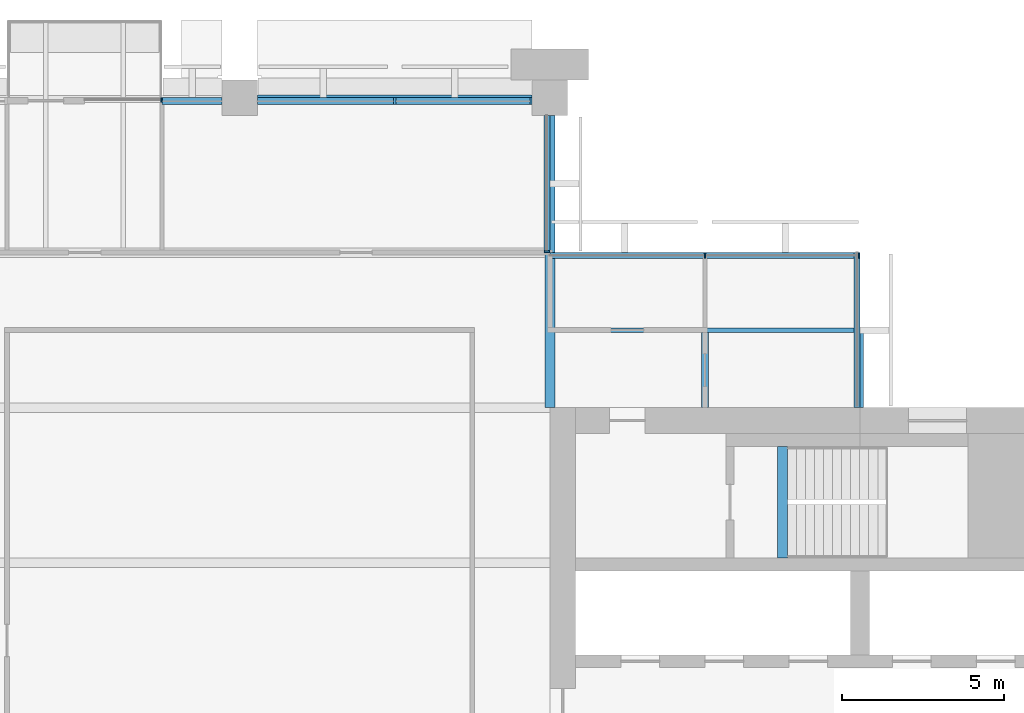
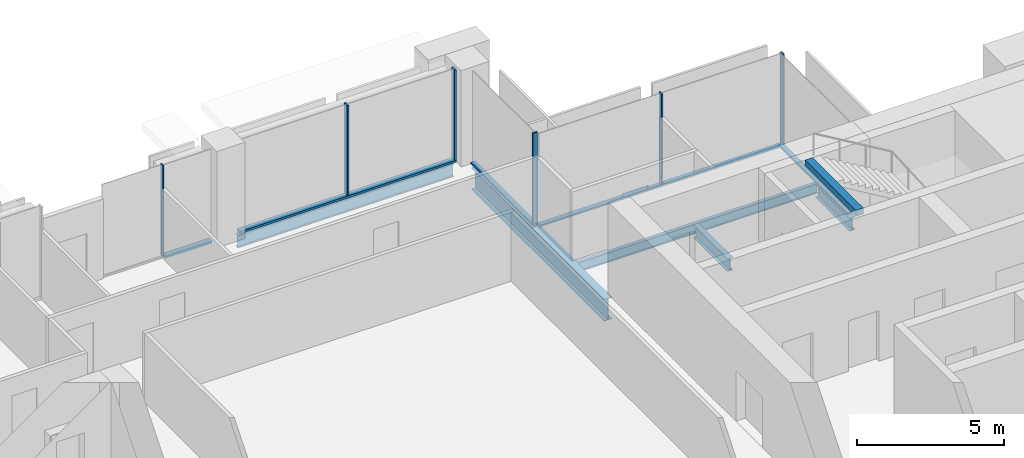
# One storey, part 6 of 14: 11 members, 6 beams, 5 elements without a shape of their own.
"""IFC4 building model written with IfcOpenShell, lengths in metres."""

from ifc_helpers import new_model, si_unit, direction, frame, origin, origin_2d, place, context, subcontext, project, spatial, rectangle, i_section, extrude, material, material_profile, profile_set, type_object, element, aggregate, save


model = new_model("IFC4")

# Units and contexts
model_context = context("Model", 3, precision=1e-05, world=origin(), true_north=direction((0.0, 1.0)))
body_context = subcontext(model_context, "Body", "Model", "MODEL_VIEW")
ifc_project = project(units=[si_unit("LENGTHUNIT", "METRE"), si_unit("AREAUNIT", "SQUARE_METRE"), si_unit("VOLUMEUNIT", "CUBIC_METRE"), si_unit("PLANEANGLEUNIT", "RADIAN"), si_unit("MASSUNIT", "GRAM", prefix="KILO")], contexts=[model_context])

# Site, building, storey
site_placement = place(None, origin())
site = spatial("IfcSite", under=ifc_project, at=site_placement, CompositionType="ELEMENT")
building_placement = place(site_placement, origin())
building = spatial("IfcBuilding", under=site, at=building_placement, Name="Baori Bourse Tower", CompositionType="ELEMENT")
storey_placement = place(building_placement, frame((0.0, 0.0, 209.199951171875)))
storey = spatial("IfcBuildingStorey", under=building, at=storey_placement, Name="L45", CompositionType="ELEMENT", Elevation=209.199951171875)

# Curtain wall, members
ifc_material_1 = material(Name="Pale anodised aluminium", Category="aluminium")
curtain_wall_type_1 = type_object("IfcCurtainWallType", Name="CW2 Curtain wall", PredefinedType="NOTDEFINED", material=ifc_material_1)
curtain_wall_1_placement = place(storey_placement, origin())
curtain_wall_1 = element("IfcCurtainWall", 1, at=curtain_wall_1_placement, inside=storey, type_object=curtain_wall_type_1, Name="Curtain wall CW2 L45 2", PredefinedType="NOTDEFINED")
ifc_material_2 = material(Name="Pale anodised aluminium", Category="aluminium")
ifc_material_profile_1 = material_profile(ifc_material_2, rectangle(XDim=0.179931640625, YDim=0.054931640625, at=origin_2d()), Name="Mullion 55x180")
ifc_profile_set_1 = profile_set([ifc_material_profile_1], Name="Pale anodised aluminium")
member_type_1 = type_object("IfcMemberType", Name="CW2 Curtain wall mullion", PredefinedType="MULLION", material=ifc_profile_set_1)
member_1_placement = place(storey_placement, frame((47.972412109375, 43.110107421875, 0.070068359375), z_axis=(0.0, 0.0, 1.0), x_axis=(0.0, -1.0, 0.0)))
member_1 = element("IfcMember", 2, at=member_1_placement, type_object=member_type_1, Name="Curtain wall CW2 mullion", PredefinedType="MULLION", context=body_context, shape_type="SweptSolid", body=[
    extrude(rectangle(XDim=0.179931640625, YDim=0.054931640625, at=origin_2d()), origin(), (0.0, 0.0, 1.0), 3.77001953125),
])
member_2_placement = place(storey_placement, frame((43.199951171875, 43.110107421875, 0.070068359375), z_axis=(0.0, 0.0, 1.0), x_axis=(0.0, -1.0, 0.0)))
member_2 = element("IfcMember", 3, at=member_2_placement, type_object=member_type_1, Name="Curtain wall CW2 mullion", PredefinedType="MULLION", context=body_context, shape_type="SweptSolid", body=[
    extrude(rectangle(XDim=0.179931640625, YDim=0.054931640625, at=origin_2d()), origin(), (0.0, 0.0, 1.0), 3.77001953125),
])

# Curtain wall, member
curtain_wall_2_placement = place(storey_placement, origin())
curtain_wall_2 = element("IfcCurtainWall", 4, at=curtain_wall_2_placement, inside=storey, type_object=curtain_wall_type_1, Name="Curtain wall CW2 L45 3", PredefinedType="NOTDEFINED")
member_3_placement = place(storey_placement, frame((38.31005859375, 43.2275390625, 0.070068359375), z_axis=(0.0, 0.0, 1.0), x_axis=(-1.0, 0.0, 0.0)))
member_3 = element("IfcMember", 5, at=member_3_placement, type_object=member_type_1, Name="Curtain wall CW2 mullion", PredefinedType="MULLION", context=body_context, shape_type="SweptSolid", body=[
    extrude(rectangle(XDim=0.179931640625, YDim=0.054931640625, at=origin_2d()), origin(), (0.0, 0.0, 1.0), 3.77001953125),
])

curtain_wall_3_placement = place(storey_placement, origin())
curtain_wall_3 = element("IfcCurtainWall", 6, at=curtain_wall_3_placement, inside=storey, type_object=curtain_wall_type_1, Name="Curtain wall CW2 L45 1", PredefinedType="NOTDEFINED")
ifc_material_3 = material(Name="Pale anodised aluminium", Category="aluminium")
ifc_material_profile_2 = material_profile(ifc_material_3, rectangle(XDim=0.179931640625, YDim=0.070068359375, at=origin_2d()), Name="Transom 70x180")
ifc_profile_set_2 = profile_set([ifc_material_profile_2], Name="Pale anodised aluminium")
member_type_2 = type_object("IfcMemberType", Name="CW2 Curtain wall transom", PredefinedType="USERDEFINED", material=ifc_profile_set_2)
member_4_placement = place(storey_placement, frame((47.909912109375, 38.39990234375, 0.03515625), z_axis=(0.0, 1.0, 0.0), x_axis=(-1.0, 0.0, 0.0)))
member_4 = element("IfcMember", 7, at=member_4_placement, type_object=member_type_2, Name="Curtain wall CW2 sill rail", ObjectType="TRANSOM", PredefinedType="USERDEFINED", context=body_context, shape_type="SweptSolid", body=[
    extrude(rectangle(XDim=0.179931640625, YDim=0.070068359375, at=origin_2d()), origin(), (0.0, 0.0, 1.0), 4.800048828125),
])
aggregate(curtain_wall_3, [member_4])

# Member
member_5_placement = place(storey_placement, frame((48.0, 43.110107421875, 0.03515625), z_axis=(-1.0, 0.0, 0.0), x_axis=(0.0, -1.0, 0.0)))
member_5 = element("IfcMember", 8, at=member_5_placement, type_object=member_type_2, Name="Curtain wall CW2 sill rail", ObjectType="TRANSOM", PredefinedType="USERDEFINED", context=body_context, shape_type="SweptSolid", body=[
    extrude(rectangle(XDim=0.179931640625, YDim=0.070068359375, at=origin_2d()), origin(), (0.0, 0.0, 1.0), 9.60009765625),
])

aggregate(curtain_wall_1, [member_5, member_1, member_2])

member_6_placement = place(storey_placement, frame((38.31005859375, 43.199951171875, 0.03515625), z_axis=(0.0, 1.0, 0.0), x_axis=(-1.0, 0.0, 0.0)))
member_6 = element("IfcMember", 9, at=member_6_placement, type_object=member_type_2, Name="Curtain wall CW2 sill rail", ObjectType="TRANSOM", PredefinedType="USERDEFINED", context=body_context, shape_type="SweptSolid", body=[
    extrude(rectangle(XDim=0.179931640625, YDim=0.070068359375, at=origin_2d()), origin(), (0.0, 0.0, 1.0), 4.25),
])

aggregate(curtain_wall_2, [member_6, member_3])

# Curtain wall, members
ifc_material_4 = material(Name="Pale anodised aluminium", Category="aluminium")
curtain_wall_type_2 = type_object("IfcCurtainWallType", Name="CW5 Curtain wall", PredefinedType="NOTDEFINED", material=ifc_material_4)
curtain_wall_4_placement = place(storey_placement, origin())
curtain_wall_4 = element("IfcCurtainWall", 10, at=curtain_wall_4_placement, inside=storey, type_object=curtain_wall_type_2, Name="Curtain wall CW5 L45 4", PredefinedType="NOTDEFINED")
ifc_material_5 = material(Name="Pale anodised aluminium", Category="aluminium")
ifc_material_profile_3 = material_profile(ifc_material_5, rectangle(XDim=0.219970703125, YDim=0.06494140625, at=origin_2d()), Name="Mullion 65x220")
ifc_profile_set_3 = profile_set([ifc_material_profile_3], Name="Pale anodised aluminium")
member_type_3 = type_object("IfcMemberType", Name="CW5 Curtain wall mullion", PredefinedType="MULLION", material=ifc_profile_set_3)
member_7_placement = place(storey_placement, frame((37.8173828125, 47.889892578125, 0.0849609375), z_axis=(0.0, 0.0, 1.0), x_axis=(0.0, -1.0, 0.0)))
member_7 = element("IfcMember", 11, at=member_7_placement, type_object=member_type_3, Name="Curtain wall CW5 mullion", PredefinedType="MULLION", context=body_context, shape_type="SweptSolid", body=[
    extrude(rectangle(XDim=0.219970703125, YDim=0.06494140625, at=origin_2d()), origin(), (0.0, 0.0, 1.0), 3.755126953125),
])
member_8_placement = place(storey_placement, frame((33.60009765625, 47.889892578125, 0.0849609375), z_axis=(0.0, 0.0, 1.0), x_axis=(0.0, -1.0, 0.0)))
member_8 = element("IfcMember", 12, at=member_8_placement, type_object=member_type_3, Name="Curtain wall CW5 mullion", PredefinedType="MULLION", context=body_context, shape_type="SweptSolid", body=[
    extrude(rectangle(XDim=0.219970703125, YDim=0.06494140625, at=origin_2d()), origin(), (0.0, 0.0, 1.0), 3.755126953125),
])
ifc_material_6 = material(Name="Pale anodised aluminium", Category="aluminium")
ifc_material_profile_4 = material_profile(ifc_material_6, rectangle(XDim=0.219970703125, YDim=0.0849609375, at=origin_2d()), Name="Transom 85x220")
ifc_profile_set_4 = profile_set([ifc_material_profile_4], Name="Pale anodised aluminium")
member_type_4 = type_object("IfcMemberType", Name="CW5 Curtain wall transom", PredefinedType="USERDEFINED", material=ifc_profile_set_4)
member_9_placement = place(storey_placement, frame((37.85009765625, 47.889892578125, 0.04248046875), z_axis=(-1.0, 0.0, 0.0), x_axis=(0.0, -1.0, 0.0)))
member_9 = element("IfcMember", 13, at=member_9_placement, type_object=member_type_4, Name="Curtain wall CW5 sill rail", ObjectType="TRANSOM", PredefinedType="USERDEFINED", context=body_context, shape_type="SweptSolid", body=[
    extrude(rectangle(XDim=0.219970703125, YDim=0.0849609375, at=origin_2d()), origin(), (0.0, 0.0, 1.0), 8.5),
])
member_10_placement = place(storey_placement, frame((28.25, 47.889892578125, 0.04248046875), z_axis=(-1.0, 0.0, 0.0), x_axis=(0.0, -1.0, 0.0)))
member_10 = element("IfcMember", 14, at=member_10_placement, type_object=member_type_4, Name="Curtain wall CW5 sill rail", ObjectType="TRANSOM", PredefinedType="USERDEFINED", context=body_context, shape_type="SweptSolid", body=[
    extrude(rectangle(XDim=0.219970703125, YDim=0.0849609375, at=origin_2d()), origin(), (0.0, 0.0, 1.0), 1.85009765625),
])
aggregate(curtain_wall_4, [member_9, member_7, member_8, member_10])

# Curtain wall, member
ifc_material_7 = material(Name="Pale anodised aluminium", Category="aluminium")
curtain_wall_type_3 = type_object("IfcCurtainWallType", Name="CW6 Curtain wall", PredefinedType="NOTDEFINED", material=ifc_material_7)
curtain_wall_5_placement = place(storey_placement, origin())
curtain_wall_5 = element("IfcCurtainWall", 15, at=curtain_wall_5_placement, inside=storey, type_object=curtain_wall_type_3, Name="Curtain wall CW6 L45 5", PredefinedType="NOTDEFINED")
ifc_material_8 = material(Name="Pale anodised aluminium", Category="aluminium")
ifc_material_profile_5 = material_profile(ifc_material_8, rectangle(XDim=0.14990234375, YDim=0.050048828125, at=origin_2d()), Name="Mullion 50x150")
ifc_profile_set_5 = profile_set([ifc_material_profile_5], Name="Pale anodised aluminium")
member_type_5 = type_object("IfcMemberType", Name="CW6 Curtain wall mullion", PredefinedType="MULLION", material=ifc_profile_set_5)
member_11_placement = place(storey_placement, frame((26.375, 47.925048828125, 0.06494140625), z_axis=(0.0, 0.0, 1.0), x_axis=(0.0, -1.0, 0.0)))
member_11 = element("IfcMember", 16, at=member_11_placement, type_object=member_type_5, Name="Curtain wall CW6 mullion", PredefinedType="MULLION", context=body_context, shape_type="SweptSolid", body=[
    extrude(rectangle(XDim=0.14990234375, YDim=0.050048828125, at=origin_2d()), origin(), (0.0, 0.0, 1.0), 3.775146484375),
])
aggregate(curtain_wall_5, [member_11])

# Beams
ifc_material_9 = material(Name="Steel A992 Gr 50", Category="steel")
ifc_material_profile_6 = material_profile(ifc_material_9, i_section(OverallWidth=0.21240234375, OverallDepth=0.54345703125, WebThickness=0.01318359375, FlangeThickness=0.021240234375, at=origin_2d()), Name="W21x83")
ifc_profile_set_6 = profile_set([ifc_material_profile_6], Name="Steel A992 Gr 50")
beam_type_1 = type_object("IfcBeamType", Name="Core bracket W21x83", PredefinedType="BEAM", material=ifc_profile_set_6)
for number, where, z_axis, x_axis, name in (
    (17, (43.199951171875, 38.39990234375, -0.431640625), (0.0, 1.0, 0.0), (-1.0, 0.0, 0.0), "Core bracket L45"),
    (18, (48.0, 38.39990234375, -0.431640625), (0.0, 1.0, 0.0), (-1.0, 0.0, 0.0), "Core bracket L45"),
):
    element("IfcBeam", number, at=place(storey_placement, frame(where, z_axis=z_axis, x_axis=x_axis)), inside=storey, type_object=beam_type_1, Name=name, PredefinedType="BEAM", context=body_context, shape_type="SweptSolid", body=[
        extrude(i_section(OverallWidth=0.21240234375, OverallDepth=0.54345703125, WebThickness=0.01318359375, FlangeThickness=0.021240234375, at=origin_2d()), origin(), (0.0, 0.0, 1.0), 2.329833984375),
    ])
ifc_material_10 = material(Name="Steel A992 Gr 50", Category="steel")
ifc_material_profile_7 = material_profile(ifc_material_10, i_section(OverallWidth=0.1650390625, OverallDepth=0.52587890625, WebThickness=0.0087890625, FlangeThickness=0.011474609375, at=origin_2d()), Name="W21x44")
ifc_profile_set_7 = profile_set([ifc_material_profile_7], Name="Steel A992 Gr 50")
beam_type_2 = type_object("IfcBeamType", Name="Edge beam W21x44", PredefinedType="BEAM", material=ifc_profile_set_7)
beam_1_placement = place(storey_placement, frame((29.35009765625, 48.0, -0.4228515625), z_axis=(1.0, 0.0, 0.0), x_axis=(0.0, 1.0, 0.0)))
element("IfcBeam", 19, at=beam_1_placement, inside=storey, type_object=beam_type_2, Name="Edge beam L45", PredefinedType="BEAM", context=body_context, shape_type="SweptSolid", body=[
    extrude(i_section(OverallWidth=0.1650390625, OverallDepth=0.52587890625, WebThickness=0.0087890625, FlangeThickness=0.011474609375, at=origin_2d()), origin(), (0.0, 0.0, 1.0), 8.5),
])
ifc_material_11 = material(Name="Steel A992 Gr 50", Category="steel")
ifc_material_profile_8 = material_profile(ifc_material_11, i_section(OverallWidth=0.3046875, OverallDepth=0.904296875, WebThickness=0.01513671875, FlangeThickness=0.02001953125, at=origin_2d()), Name="W36x135")
ifc_profile_set_8 = profile_set([ifc_material_profile_8], Name="Steel A992 Gr 50")
beam_type_3 = type_object("IfcBeamType", Name="Girder W36x135", PredefinedType="BEAM", material=ifc_profile_set_8)
beam_2_placement = place(storey_placement, frame((38.39990234375, 38.39990234375, -0.612060546875), z_axis=(0.0, 1.0, 0.0), x_axis=(-1.0, 0.0, 0.0)))
element("IfcBeam", 20, at=beam_2_placement, inside=storey, type_object=beam_type_3, Name="Girder L45", PredefinedType="BEAM", context=body_context, shape_type="SweptSolid", body=[
    extrude(i_section(OverallWidth=0.3046875, OverallDepth=0.904296875, WebThickness=0.01513671875, FlangeThickness=0.02001953125, at=origin_2d()), origin(), (0.0, 0.0, 1.0), 9.050048828125),
])
ifc_material_12 = material(Name="Concrete f'c 50 MPa", Category="concrete")
ifc_material_profile_9 = material_profile(ifc_material_12, rectangle(XDim=0.300048828125, YDim=0.25, at=origin_2d()), Name="RC 300x250")
ifc_profile_set_9 = profile_set([ifc_material_profile_9], Name="Concrete f'c 50 MPa")
beam_type_4 = type_object("IfcBeamType", Name="Stair nib beam RC 300x250", PredefinedType="BEAM", material=ifc_profile_set_9)
beam_3_placement = place(storey_placement, frame((45.60009765625, 33.75, 3.715087890625), z_axis=(0.0, 1.0, 0.0), x_axis=(-1.0, 0.0, 0.0)))
element("IfcBeam", 21, at=beam_3_placement, inside=storey, type_object=beam_type_4, Name="Stair EB nib beam L46", PredefinedType="BEAM", context=body_context, shape_type="SweptSolid", body=[
    extrude(rectangle(XDim=0.300048828125, YDim=0.25, at=origin_2d()), origin(), (0.0, 0.0, 1.0), 3.449951171875),
])
ifc_material_13 = material(Name="Steel A992 Gr 50", Category="steel")
ifc_material_profile_10 = material_profile(ifc_material_13, i_section(OverallWidth=0.140380859375, OverallDepth=0.40380859375, WebThickness=0.007080078125, FlangeThickness=0.01123046875, at=origin_2d()), Name="W16x31")
ifc_profile_set_10 = profile_set([ifc_material_profile_10], Name="Steel A992 Gr 50")
beam_type_5 = type_object("IfcBeamType", Name="Trimmer beam W16x31", PredefinedType="BEAM", material=ifc_profile_set_10)
beam_4_placement = place(storey_placement, frame((38.552490234375, 40.800048828125, -0.36181640625), z_axis=(1.0, 0.0, 0.0), x_axis=(0.0, 1.0, 0.0)))
element("IfcBeam", 22, at=beam_4_placement, inside=storey, type_object=beam_type_5, Name="Trimmer beam L45", PredefinedType="BEAM", context=body_context, shape_type="SweptSolid", body=[
    extrude(i_section(OverallWidth=0.140380859375, OverallDepth=0.40380859375, WebThickness=0.007080078125, FlangeThickness=0.01123046875, at=origin_2d()), origin(), (0.0, 0.0, 1.0), 9.447509765625),
])

save(model, "model.ifc")
